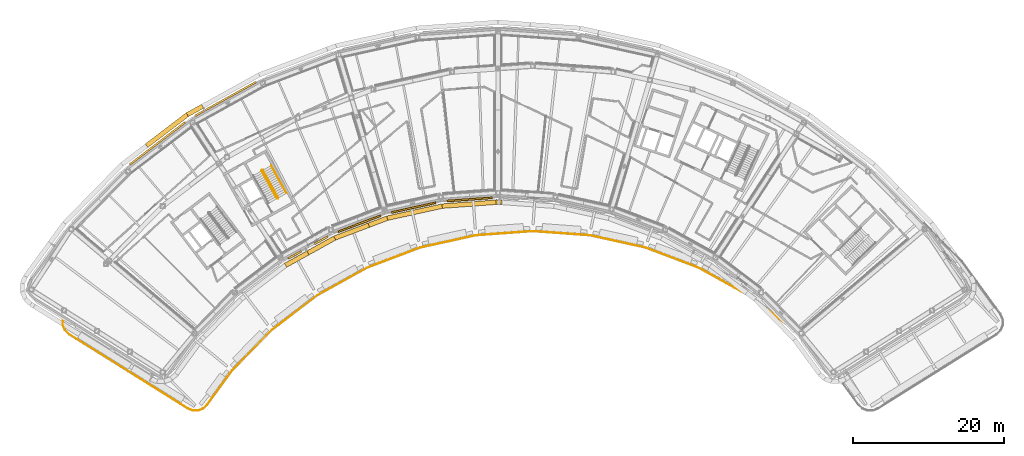
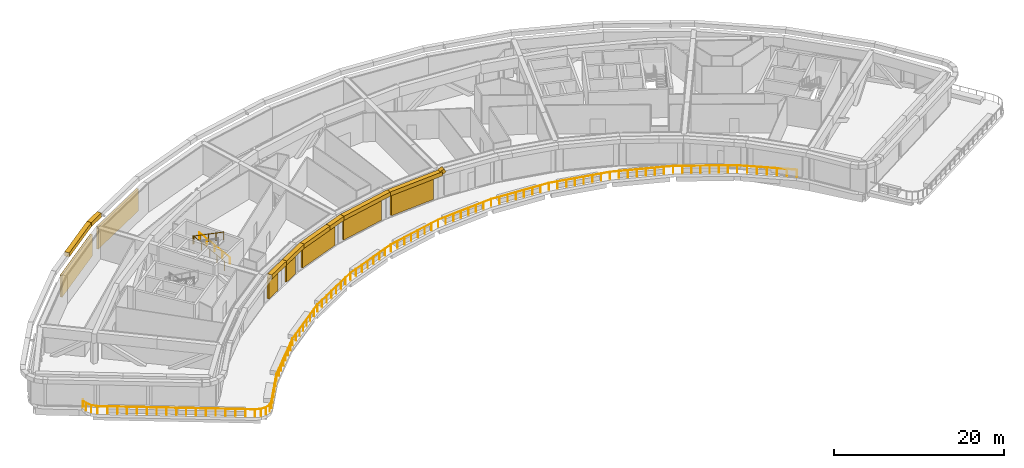
# One storey, part 20 of 24: 9 coverings, 7 shading devices, 3 railings.
"""IFC4 building model written with IfcOpenShell, lengths in metres."""

from ifc_helpers import new_model, si_unit, direction, frame, origin, origin_2d, place, context, subcontext, project, spatial, rectangle, circle, extrude, material, material_profile, profile_set, type_object, element, save


model = new_model("IFC4")

# Units and contexts
model_context = context("Model", 3, precision=1e-05, world=origin(), true_north=direction((0.0, 1.0)))
body_context = subcontext(model_context, "Body", "Model", "MODEL_VIEW")
ifc_project = project(units=[si_unit("LENGTHUNIT", "METRE"), si_unit("AREAUNIT", "SQUARE_METRE"), si_unit("VOLUMEUNIT", "CUBIC_METRE"), si_unit("PLANEANGLEUNIT", "RADIAN"), si_unit("MASSUNIT", "GRAM", prefix="KILO")], contexts=[model_context])

# Site, building, storey
site_placement = place(None, origin())
site = spatial("IfcSite", under=ifc_project, at=site_placement, CompositionType="ELEMENT")
building_placement = place(site_placement, origin())
building = spatial("IfcBuilding", under=site, at=building_placement, Name="Tuul Gate Civic Tower", CompositionType="ELEMENT")
storey_placement = place(building_placement, frame((0.0, 0.0, 315.199951171875)))
storey = spatial("IfcBuildingStorey", under=building, at=storey_placement, Name="Plant and refuge floor 7", CompositionType="ELEMENT", Elevation=315.199951171875)

# Shading devices
ifc_material_1 = material(Name="Aluminium louvre", Category="aluminium")
shading_device_type = type_object("IfcShadingDeviceType", Name="Louvre panel", PredefinedType="USERDEFINED", material=ifc_material_1)
for number, where, z_axis, x_axis, name in (
    (1, (-33.819580078125, 4.896240234375, 0.300048828125), (0.0, 0.0, 1.0), (-0.48478912347, 0.874631068374, 0.0), "Louvre panel"),
    (2, (-42.80615234375, -0.971435546875, 0.300048828125), (0.0, 0.0, 1.0), (-0.605807600786, 0.795611180684, 0.0), "Louvre panel"),
):
    element("IfcShadingDevice", number, at=place(storey_placement, frame(where, z_axis=z_axis, x_axis=x_axis)), inside=storey, type_object=shading_device_type, Name=name, ObjectType="LOUVRE", PredefinedType="USERDEFINED", context=body_context, shape_type="SweptSolid", body=[
        extrude(rectangle(XDim=0.25, YDim=9.199951171875, at=origin_2d()), origin(), (0.0, 0.0, 1.0), 3.14990234375),
    ])
for number, where, z_axis, x_axis, name in (
    (3, (-24.69091796875, -15.711669921875, 0.300048828125), (0.0, 0.0, 1.0), (0.48480794476, -0.874620635875, 0.0), "Louvre panel"),
    (4, (-21.180908203125, -13.765869140625, 0.300048828125), (0.0, 0.0, 1.0), (0.48480794476, -0.874620635875, 0.0), "Louvre panel"),
):
    element("IfcShadingDevice", number, at=place(storey_placement, frame(where, z_axis=z_axis, x_axis=x_axis)), inside=storey, type_object=shading_device_type, Name=name, ObjectType="LOUVRE", PredefinedType="USERDEFINED", context=body_context, shape_type="SweptSolid", body=[
        extrude(rectangle(XDim=0.25, YDim=2.0, at=origin_2d()), origin(), (0.0, 0.0, 1.0), 3.14990234375),
    ])
for number, where, z_axis, x_axis, name in (
    (5, (-16.140869140625, -11.5908203125, 0.300048828125), (0.0, 0.0, 1.0), (0.353684769481, -0.935364679597, 0.0), "Louvre panel"),
    (6, (-8.963134765625, -9.455078125, 0.300048828125), (0.0, 0.0, 1.0), (0.215241961183, -0.976560749849, 0.0), "Louvre panel"),
    (7, (-1.552490234375, -8.375732421875, 0.300048828125), (0.0, 0.0, 1.0), (0.072276176045, -0.997384657179, 0.0), "Louvre panel"),
):
    element("IfcShadingDevice", number, at=place(storey_placement, frame(where, z_axis=z_axis, x_axis=x_axis)), inside=storey, type_object=shading_device_type, Name=name, ObjectType="LOUVRE", PredefinedType="USERDEFINED", context=body_context, shape_type="SweptSolid", body=[
        extrude(rectangle(XDim=0.25, YDim=6.0, at=origin_2d()), origin(), (0.0, 0.0, 1.0), 3.14990234375),
    ])

# Railings
ifc_material_2 = material(Name="Painted steel", Category="steel")
railing_type_1 = type_object("IfcRailingType", Name="Stair guard", PredefinedType="GUARDRAIL", material=ifc_material_2)
railing_1_placement = place(storey_placement, frame((-26.857666015625, -8.247314453125, 0.0)))
element("IfcRailing", 8, at=railing_1_placement, inside=storey, type_object=railing_type_1, Name="Plant and refuge floor 7 ST-2 stair guard 1", PredefinedType="GUARDRAIL", context=body_context, shape_type="SweptSolid", body=[
    extrude(circle(Radius=0.02392578125, at=origin_2d()), frame((0.0, 0.0, 1.076171875), z_axis=(-0.874616555828, -0.48481530532, 0.0), x_axis=(0.48481530532, -0.874616555828, 0.0)), (0.0, 0.0, 1.0), 0.10009765625),
    extrude(circle(Radius=0.02392578125, at=origin_2d()), frame((-0.087646484375, -0.048583984375, 1.076171875), z_axis=(0.490435707169, 0.534104639999, 0.688625479244), x_axis=(-0.736576986774, 0.676353711126, 0.0)), (0.0, 0.0, 1.0), 0.218017578125),
    extrude(circle(Radius=0.02392578125, at=origin_2d()), frame((0.019287109375, 0.06787109375, 1.22607421875), z_axis=(-0.433565959627, 0.782332053545, 0.447188010403), x_axis=(-0.874661316952, -0.484734546558, 0.0)), (0.0, 0.0, 1.0), 4.69580078125),
    extrude(circle(Radius=0.02392578125, at=origin_2d()), frame((-2.0166015625, 3.741455078125, 3.326171875), z_axis=(-0.961000426733, 0.276546885391, 0.0), x_axis=(-0.276546885391, -0.961000426733, 0.0)), (0.0, 0.0, 1.0), 0.070556640625),
    extrude(circle(Radius=0.02392578125, at=origin_2d()), frame((-2.08447265625, 3.760986328125, 3.326171875), z_axis=(-0.874616555828, -0.48481530532, 0.0), x_axis=(0.48481530532, -0.874616555828, 0.0)), (0.0, 0.0, 1.0), 0.10009765625),
    extrude(circle(Radius=0.02392578125, at=origin_2d()), frame((-2.172119140625, 3.71240234375, 3.326171875), z_axis=(-0.117709570447, -0.409040757305, 0.904892322815), x_axis=(0.961000426733, -0.276546885391, 0.0)), (0.0, 0.0, 1.0), 0.166015625),
    extrude(circle(Radius=0.02392578125, at=origin_2d()), frame((-2.191650390625, 3.64453125, 3.47607421875), z_axis=(0.433608177227, -0.782314417595, 0.447177929536), x_axis=(0.874636671229, 0.484779014956, 0.0)), (0.0, 0.0, 1.0), 4.69580078125),
    extrude(circle(Radius=0.02099609375, at=origin_2d()), origin(), (0.0, 0.0, 1.0), 1.052001953125),
    extrude(circle(Radius=0.02099609375, at=origin_2d()), frame((-0.087646484375, -0.048583984375, 0.0)), (0.0, 0.0, 1.0), 1.052001953125),
    extrude(circle(Radius=0.02099609375, at=origin_2d()), frame((0.019287109375, 0.06787109375, 0.150146484375)), (0.0, 0.0, 1.0), 1.052001953125),
    extrude(circle(Radius=0.02099609375, at=origin_2d()), frame((-0.48974609375, 0.986328125, 0.675048828125)), (0.0, 0.0, 1.0), 1.052001953125),
    extrude(circle(Radius=0.02099609375, at=origin_2d()), frame((-0.99853515625, 1.90478515625, 1.2001953125)), (0.0, 0.0, 1.0), 1.052001953125),
    extrude(circle(Radius=0.02099609375, at=origin_2d()), frame((-1.507568359375, 2.822998046875, 1.72509765625)), (0.0, 0.0, 1.0), 1.052001953125),
    extrude(circle(Radius=0.02099609375, at=origin_2d()), frame((-2.0166015625, 3.741455078125, 2.25)), (0.0, 0.0, 1.0), 1.052001953125),
    extrude(circle(Radius=0.02099609375, at=origin_2d()), frame((-2.08447265625, 3.760986328125, 2.25)), (0.0, 0.0, 1.0), 1.052001953125),
    extrude(circle(Radius=0.02099609375, at=origin_2d()), frame((-2.172119140625, 3.71240234375, 2.25)), (0.0, 0.0, 1.0), 1.052001953125),
    extrude(circle(Radius=0.02099609375, at=origin_2d()), frame((-2.191650390625, 3.64453125, 2.400146484375)), (0.0, 0.0, 1.0), 1.052001953125),
    extrude(circle(Radius=0.02099609375, at=origin_2d()), frame((-1.6826171875, 2.72607421875, 2.925048828125)), (0.0, 0.0, 1.0), 1.052001953125),
    extrude(circle(Radius=0.02099609375, at=origin_2d()), frame((-1.173583984375, 1.8076171875, 3.4501953125)), (0.0, 0.0, 1.0), 1.052001953125),
    extrude(circle(Radius=0.02099609375, at=origin_2d()), frame((-0.66455078125, 0.889404296875, 3.97509765625)), (0.0, 0.0, 1.0), 1.052001953125),
    extrude(circle(Radius=0.02099609375, at=origin_2d()), frame((-0.155517578125, -0.029052734375, 4.5)), (0.0, 0.0, 1.0), 1.052001953125),
])
ifc_material_3 = material(Name="Painted steel", Category="steel")
railing_type_2 = type_object("IfcRailingType", Name="Stair handrail", PredefinedType="HANDRAIL", material=ifc_material_3)
railing_2_placement = place(storey_placement, frame((-25.744873046875, -7.573486328125, 0.150146484375)))
element("IfcRailing", 9, at=railing_2_placement, inside=storey, type_object=railing_type_2, Name="Plant and refuge floor 7 ST-2 stair handrail 1", PredefinedType="HANDRAIL", context=body_context, shape_type="SweptSolid", body=[
    extrude(circle(Radius=0.02392578125, at=origin_2d()), frame((0.0, 0.0, 0.8759765625), z_axis=(-0.433608177227, 0.782314417595, 0.447177929536), x_axis=(-0.874636671229, -0.484779014956, 0.0)), (0.0, 0.0, 1.0), 4.69580078125),
    extrude(circle(Radius=0.02099609375, at=origin_2d()), origin(), (0.0, 0.0, 1.0), 0.851806640625),
    extrude(circle(Radius=0.02099609375, at=origin_2d()), frame((-0.509033203125, 0.91845703125, 0.52490234375)), (0.0, 0.0, 1.0), 0.851806640625),
    extrude(circle(Radius=0.02099609375, at=origin_2d()), frame((-1.01806640625, 1.8369140625, 1.0498046875)), (0.0, 0.0, 1.0), 0.851806640625),
    extrude(circle(Radius=0.02099609375, at=origin_2d()), frame((-1.527099609375, 2.755126953125, 1.574951171875)), (0.0, 0.0, 1.0), 0.851806640625),
    extrude(circle(Radius=0.02099609375, at=origin_2d()), frame((-2.0361328125, 3.673583984375, 2.099853515625)), (0.0, 0.0, 1.0), 0.851806640625),
])
ifc_material_4 = material(Name="Stainless steel", Category="steel")
railing_type_3 = type_object("IfcRailingType", Name="Terrace guard", PredefinedType="GUARDRAIL", material=ifc_material_4)
railing_3_placement = place(storey_placement, frame((-55.2705078125, -24.140380859375, 0.0)))
element("IfcRailing", 10, at=railing_3_placement, inside=storey, type_object=railing_type_3, Name="Guard", PredefinedType="GUARDRAIL", context=body_context, shape_type="SweptSolid", body=[
    extrude(circle(Radius=0.02392578125, at=origin_2d()), frame((0.0, 0.0, 1.076171875), z_axis=(-0.413612919329, -0.910452828522, 0.0), x_axis=(0.910452828522, -0.413612919329, 0.0)), (0.0, 0.0, 1.0), 0.096923828125),
    extrude(circle(Radius=0.02392578125, at=origin_2d()), frame((-0.0400390625, -0.088134765625, 1.076171875), z_axis=(-0.014599352391, -0.999893423776, 0.0), x_axis=(0.999893423776, -0.014599352391, 0.0)), (0.0, 0.0, 1.0), 0.75244140625),
    extrude(circle(Radius=0.02392578125, at=origin_2d()), frame((-0.051025390625, -0.840576171875, 1.076171875), z_axis=(0.385811143559, -0.922577780735, 0.0), x_axis=(0.922577780735, 0.385811143559, 0.0)), (0.0, 0.0, 1.0), 0.753662109375),
    extrude(circle(Radius=0.02392578125, at=origin_2d()), frame((0.23974609375, -1.535888671875, 1.076171875), z_axis=(0.722338380807, -0.691539777318, 0.0), x_axis=(0.691539777318, 0.722338380807, 0.0)), (0.0, 0.0, 1.0), 0.768798828125),
    extrude(circle(Radius=0.02392578125, at=origin_2d()), frame((0.795166015625, -2.067626953125, 1.076171875), z_axis=(0.84804792316, -0.529919541085, 0.0), x_axis=(0.529919541085, 0.84804792316, 0.0)), (0.0, 0.0, 1.0), 18.518798828125),
    extrude(circle(Radius=0.02392578125, at=origin_2d()), frame((16.5, -11.881103515625, 1.076171875), z_axis=(0.931606319494, -0.363468933305, 0.0), x_axis=(0.363468933305, 0.931606319494, 0.0)), (0.0, 0.0, 1.0), 0.70263671875),
    extrude(circle(Radius=0.02392578125, at=origin_2d()), frame((17.154541015625, -12.136474609375, 1.076171875), z_axis=(0.999992381518, 0.003903447905, 0.0), x_axis=(-0.003903447905, 0.999992381518, 0.0)), (0.0, 0.0, 1.0), 0.68798828125),
    extrude(circle(Radius=0.02392578125, at=origin_2d()), frame((17.842529296875, -12.1337890625, 1.076171875), z_axis=(0.929233590569, 0.36949280664, 0.0), x_axis=(-0.36949280664, 0.929233590569, 0.0)), (0.0, 0.0, 1.0), 0.687744140625),
    extrude(circle(Radius=0.02392578125, at=origin_2d()), frame((18.481689453125, -11.879638671875, 1.076171875), z_axis=(0.730176325427, 0.68325876049, 0.0), x_axis=(-0.68325876049, 0.730176325427, 0.0)), (0.0, 0.0, 1.0), 0.702392578125),
    extrude(circle(Radius=0.02392578125, at=origin_2d()), frame((18.99462890625, -11.399658203125, 1.076171875), z_axis=(0.589827758022, 0.807529080509, 0.0), x_axis=(-0.807529080509, 0.589827758022, 0.0)), (0.0, 0.0, 1.0), 5.640869140625),
    extrude(circle(Radius=0.02392578125, at=origin_2d()), frame((22.32177734375, -6.844482421875, 1.076171875), z_axis=(0.700001041754, 0.714141821729, 0.0), x_axis=(-0.714141821729, 0.700001041754, 0.0)), (0.0, 0.0, 1.0), 7.527587890625),
    extrude(circle(Radius=0.02392578125, at=origin_2d()), frame((27.591064453125, -1.46875, 1.076171875), z_axis=(0.795650592846, 0.605755837036, 0.0), x_axis=(-0.605755837036, 0.795650592846, 0.0)), (0.0, 0.0, 1.0), 7.5263671875),
    extrude(circle(Radius=0.02392578125, at=origin_2d()), frame((33.579345703125, 3.09033203125, 1.076171875), z_axis=(0.874622073529, 0.484805351143, 0.0), x_axis=(-0.484805351143, 0.874622073529, 0.0)), (0.0, 0.0, 1.0), 7.525634765625),
    extrude(circle(Radius=0.02392578125, at=origin_2d()), frame((40.161376953125, 6.73876953125, 1.076171875), z_axis=(0.935332384104, 0.353770167265, 0.0), x_axis=(-0.353770167265, 0.935332384104, 0.0)), (0.0, 0.0, 1.0), 7.527099609375),
    extrude(circle(Radius=0.02392578125, at=origin_2d()), frame((47.20166015625, 9.401611328125, 1.076171875), z_axis=(0.97657171355, 0.215192212439, 0.0), x_axis=(-0.215192212439, 0.97657171355, 0.0)), (0.0, 0.0, 1.0), 7.5263671875),
    extrude(circle(Radius=0.02392578125, at=origin_2d()), frame((54.5517578125, 11.021240234375, 1.076171875), z_axis=(0.997389741287, 0.072205982962, 0.0), x_axis=(-0.072205982962, 0.997389741287, 0.0)), (0.0, 0.0, 1.0), 7.5263671875),
    extrude(circle(Radius=0.02392578125, at=origin_2d()), frame((62.05859375, 11.564697265625, 1.076171875), z_axis=(0.997389572159, -0.072208319108, 0.0), x_axis=(0.072208319108, 0.997389572159, 0.0)), (0.0, 0.0, 1.0), 7.526123046875),
    extrude(circle(Radius=0.02392578125, at=origin_2d()), frame((69.565185546875, 11.021240234375, 1.076171875), z_axis=(0.97657171355, -0.215192212439, 0.0), x_axis=(0.215192212439, 0.97657171355, 0.0)), (0.0, 0.0, 1.0), 7.5263671875),
    extrude(circle(Radius=0.02392578125, at=origin_2d()), frame((76.915283203125, 9.401611328125, 1.076171875), z_axis=(0.935336443286, -0.353759435014, 0.0), x_axis=(0.353759435014, 0.935336443286, 0.0)), (0.0, 0.0, 1.0), 7.52734375),
    extrude(circle(Radius=0.02392578125, at=origin_2d()), frame((83.955810546875, 6.73876953125, 1.076171875), z_axis=(0.874652568021, -0.484750332907, 0.0), x_axis=(0.484750332907, 0.874652568021, 0.0)), (0.0, 0.0, 1.0), 7.5263671875),
    extrude(circle(Radius=0.02392578125, at=origin_2d()), frame((90.538818359375, 3.09033203125, 1.076171875), z_axis=(0.795647554569, -0.605759827744, 0.0), x_axis=(0.605759827744, 0.795647554569, 0.0)), (0.0, 0.0, 1.0), 7.06103515625),
    extrude(circle(Radius=0.02099609375, at=origin_2d()), origin(), (0.0, 0.0, 1.0), 1.052001953125),
    extrude(circle(Radius=0.02099609375, at=origin_2d()), frame((-0.0400390625, -0.088134765625, 0.0)), (0.0, 0.0, 1.0), 1.052001953125),
    extrude(circle(Radius=0.02099609375, at=origin_2d()), frame((-0.051025390625, -0.840576171875, 0.0)), (0.0, 0.0, 1.0), 1.052001953125),
    extrude(circle(Radius=0.02099609375, at=origin_2d()), frame((0.23974609375, -1.535888671875, 0.0)), (0.0, 0.0, 1.0), 1.052001953125),
    extrude(circle(Radius=0.02099609375, at=origin_2d()), frame((0.795166015625, -2.067626953125, 0.0)), (0.0, 0.0, 1.0), 1.052001953125),
    extrude(circle(Radius=0.02099609375, at=origin_2d()), frame((1.776611328125, -2.680908203125, 0.0)), (0.0, 0.0, 1.0), 1.052001953125),
    extrude(circle(Radius=0.02099609375, at=origin_2d()), frame((2.75830078125, -3.29443359375, 0.0)), (0.0, 0.0, 1.0), 1.052001953125),
    extrude(circle(Radius=0.02099609375, at=origin_2d()), frame((3.73974609375, -3.90771484375, 0.0)), (0.0, 0.0, 1.0), 1.052001953125),
    extrude(circle(Radius=0.02099609375, at=origin_2d()), frame((4.721435546875, -4.52099609375, 0.0)), (0.0, 0.0, 1.0), 1.052001953125),
    extrude(circle(Radius=0.02099609375, at=origin_2d()), frame((5.702880859375, -5.13427734375, 0.0)), (0.0, 0.0, 1.0), 1.052001953125),
    extrude(circle(Radius=0.02099609375, at=origin_2d()), frame((6.6845703125, -5.74755859375, 0.0)), (0.0, 0.0, 1.0), 1.052001953125),
    extrude(circle(Radius=0.02099609375, at=origin_2d()), frame((7.666015625, -6.361083984375, 0.0)), (0.0, 0.0, 1.0), 1.052001953125),
    extrude(circle(Radius=0.02099609375, at=origin_2d()), frame((8.6474609375, -6.974365234375, 0.0)), (0.0, 0.0, 1.0), 1.052001953125),
    extrude(circle(Radius=0.02099609375, at=origin_2d()), frame((9.629150390625, -7.587646484375, 0.0)), (0.0, 0.0, 1.0), 1.052001953125),
    extrude(circle(Radius=0.02099609375, at=origin_2d()), frame((10.610595703125, -8.201171875, 0.0)), (0.0, 0.0, 1.0), 1.052001953125),
    extrude(circle(Radius=0.02099609375, at=origin_2d()), frame((11.59228515625, -8.814453125, 0.0)), (0.0, 0.0, 1.0), 1.052001953125),
    extrude(circle(Radius=0.02099609375, at=origin_2d()), frame((12.57373046875, -9.427734375, 0.0)), (0.0, 0.0, 1.0), 1.052001953125),
    extrude(circle(Radius=0.02099609375, at=origin_2d()), frame((13.555419921875, -10.041015625, 0.0)), (0.0, 0.0, 1.0), 1.052001953125),
    extrude(circle(Radius=0.02099609375, at=origin_2d()), frame((14.536865234375, -10.654296875, 0.0)), (0.0, 0.0, 1.0), 1.052001953125),
    extrude(circle(Radius=0.02099609375, at=origin_2d()), frame((15.5185546875, -11.267822265625, 0.0)), (0.0, 0.0, 1.0), 1.052001953125),
    extrude(circle(Radius=0.02099609375, at=origin_2d()), frame((16.5, -11.881103515625, 0.0)), (0.0, 0.0, 1.0), 1.052001953125),
    extrude(circle(Radius=0.02099609375, at=origin_2d()), frame((17.154541015625, -12.136474609375, 0.0)), (0.0, 0.0, 1.0), 1.052001953125),
    extrude(circle(Radius=0.02099609375, at=origin_2d()), frame((17.842529296875, -12.1337890625, 0.0)), (0.0, 0.0, 1.0), 1.052001953125),
    extrude(circle(Radius=0.02099609375, at=origin_2d()), frame((18.481689453125, -11.879638671875, 0.0)), (0.0, 0.0, 1.0), 1.052001953125),
    extrude(circle(Radius=0.02099609375, at=origin_2d()), frame((18.99462890625, -11.399658203125, 0.0)), (0.0, 0.0, 1.0), 1.052001953125),
    extrude(circle(Radius=0.02099609375, at=origin_2d()), frame((19.66015625, -10.488525390625, 0.0)), (0.0, 0.0, 1.0), 1.052001953125),
    extrude(circle(Radius=0.02099609375, at=origin_2d()), frame((20.325439453125, -9.57763671875, 0.0)), (0.0, 0.0, 1.0), 1.052001953125),
    extrude(circle(Radius=0.02099609375, at=origin_2d()), frame((20.990966796875, -8.66650390625, 0.0)), (0.0, 0.0, 1.0), 1.052001953125),
    extrude(circle(Radius=0.02099609375, at=origin_2d()), frame((21.65625, -7.755615234375, 0.0)), (0.0, 0.0, 1.0), 1.052001953125),
    extrude(circle(Radius=0.02099609375, at=origin_2d()), frame((22.32177734375, -6.844482421875, 0.0)), (0.0, 0.0, 1.0), 1.052001953125),
    extrude(circle(Radius=0.02099609375, at=origin_2d()), frame((23.074462890625, -6.076416015625, 0.0)), (0.0, 0.0, 1.0), 1.052001953125),
    extrude(circle(Radius=0.02099609375, at=origin_2d()), frame((23.827392578125, -5.30859375, 0.0)), (0.0, 0.0, 1.0), 1.052001953125),
    extrude(circle(Radius=0.02099609375, at=origin_2d()), frame((24.580078125, -4.54052734375, 0.0)), (0.0, 0.0, 1.0), 1.052001953125),
    extrude(circle(Radius=0.02099609375, at=origin_2d()), frame((25.332763671875, -3.772705078125, 0.0)), (0.0, 0.0, 1.0), 1.052001953125),
    extrude(circle(Radius=0.02099609375, at=origin_2d()), frame((26.08544921875, -3.004638671875, 0.0)), (0.0, 0.0, 1.0), 1.052001953125),
    extrude(circle(Radius=0.02099609375, at=origin_2d()), frame((26.83837890625, -2.23681640625, 0.0)), (0.0, 0.0, 1.0), 1.052001953125),
    extrude(circle(Radius=0.02099609375, at=origin_2d()), frame((27.591064453125, -1.46875, 0.0)), (0.0, 0.0, 1.0), 1.052001953125),
    extrude(circle(Radius=0.02099609375, at=origin_2d()), frame((28.446533203125, -0.8173828125, 0.0)), (0.0, 0.0, 1.0), 1.052001953125),
    extrude(circle(Radius=0.02099609375, at=origin_2d()), frame((29.302001953125, -0.166259765625, 0.0)), (0.0, 0.0, 1.0), 1.052001953125),
    extrude(circle(Radius=0.02099609375, at=origin_2d()), frame((30.157470703125, 0.485107421875, 0.0)), (0.0, 0.0, 1.0), 1.052001953125),
    extrude(circle(Radius=0.02099609375, at=origin_2d()), frame((31.012939453125, 1.136474609375, 0.0)), (0.0, 0.0, 1.0), 1.052001953125),
    extrude(circle(Radius=0.02099609375, at=origin_2d()), frame((31.868408203125, 1.787841796875, 0.0)), (0.0, 0.0, 1.0), 1.052001953125),
    extrude(circle(Radius=0.02099609375, at=origin_2d()), frame((32.723876953125, 2.43896484375, 0.0)), (0.0, 0.0, 1.0), 1.052001953125),
    extrude(circle(Radius=0.02099609375, at=origin_2d()), frame((33.579345703125, 3.09033203125, 0.0)), (0.0, 0.0, 1.0), 1.052001953125),
    extrude(circle(Radius=0.02099609375, at=origin_2d()), frame((34.51953125, 3.611572265625, 0.0)), (0.0, 0.0, 1.0), 1.052001953125),
    extrude(circle(Radius=0.02099609375, at=origin_2d()), frame((35.4599609375, 4.1328125, 0.0)), (0.0, 0.0, 1.0), 1.052001953125),
    extrude(circle(Radius=0.02099609375, at=origin_2d()), frame((36.400146484375, 4.654052734375, 0.0)), (0.0, 0.0, 1.0), 1.052001953125),
    extrude(circle(Radius=0.02099609375, at=origin_2d()), frame((37.340576171875, 5.175048828125, 0.0)), (0.0, 0.0, 1.0), 1.052001953125),
    extrude(circle(Radius=0.02099609375, at=origin_2d()), frame((38.28076171875, 5.6962890625, 0.0)), (0.0, 0.0, 1.0), 1.052001953125),
    extrude(circle(Radius=0.02099609375, at=origin_2d()), frame((39.22119140625, 6.217529296875, 0.0)), (0.0, 0.0, 1.0), 1.052001953125),
    extrude(circle(Radius=0.02099609375, at=origin_2d()), frame((40.161376953125, 6.73876953125, 0.0)), (0.0, 0.0, 1.0), 1.052001953125),
    extrude(circle(Radius=0.02099609375, at=origin_2d()), frame((41.167236328125, 7.119140625, 0.0)), (0.0, 0.0, 1.0), 1.052001953125),
    extrude(circle(Radius=0.02099609375, at=origin_2d()), frame((42.1728515625, 7.49951171875, 0.0)), (0.0, 0.0, 1.0), 1.052001953125),
    extrude(circle(Radius=0.02099609375, at=origin_2d()), frame((43.1787109375, 7.8798828125, 0.0)), (0.0, 0.0, 1.0), 1.052001953125),
    extrude(circle(Radius=0.02099609375, at=origin_2d()), frame((44.184326171875, 8.260498046875, 0.0)), (0.0, 0.0, 1.0), 1.052001953125),
    extrude(circle(Radius=0.02099609375, at=origin_2d()), frame((45.190185546875, 8.640869140625, 0.0)), (0.0, 0.0, 1.0), 1.052001953125),
    extrude(circle(Radius=0.02099609375, at=origin_2d()), frame((46.19580078125, 9.021240234375, 0.0)), (0.0, 0.0, 1.0), 1.052001953125),
    extrude(circle(Radius=0.02099609375, at=origin_2d()), frame((47.20166015625, 9.401611328125, 0.0)), (0.0, 0.0, 1.0), 1.052001953125),
    extrude(circle(Radius=0.02099609375, at=origin_2d()), frame((48.251708984375, 9.633056640625, 0.0)), (0.0, 0.0, 1.0), 1.052001953125),
    extrude(circle(Radius=0.02099609375, at=origin_2d()), frame((49.3017578125, 9.8642578125, 0.0)), (0.0, 0.0, 1.0), 1.052001953125),
    extrude(circle(Radius=0.02099609375, at=origin_2d()), frame((50.351806640625, 10.095703125, 0.0)), (0.0, 0.0, 1.0), 1.052001953125),
    extrude(circle(Radius=0.02099609375, at=origin_2d()), frame((51.401611328125, 10.3271484375, 0.0)), (0.0, 0.0, 1.0), 1.052001953125),
    extrude(circle(Radius=0.02099609375, at=origin_2d()), frame((52.45166015625, 10.55859375, 0.0)), (0.0, 0.0, 1.0), 1.052001953125),
    extrude(circle(Radius=0.02099609375, at=origin_2d()), frame((53.501708984375, 10.789794921875, 0.0)), (0.0, 0.0, 1.0), 1.052001953125),
    extrude(circle(Radius=0.02099609375, at=origin_2d()), frame((54.5517578125, 11.021240234375, 0.0)), (0.0, 0.0, 1.0), 1.052001953125),
    extrude(circle(Radius=0.02099609375, at=origin_2d()), frame((55.624267578125, 11.098876953125, 0.0)), (0.0, 0.0, 1.0), 1.052001953125),
    extrude(circle(Radius=0.02099609375, at=origin_2d()), frame((56.696533203125, 11.176513671875, 0.0)), (0.0, 0.0, 1.0), 1.052001953125),
    extrude(circle(Radius=0.02099609375, at=origin_2d()), frame((57.76904296875, 11.254150390625, 0.0)), (0.0, 0.0, 1.0), 1.052001953125),
    extrude(circle(Radius=0.02099609375, at=origin_2d()), frame((58.84130859375, 11.331787109375, 0.0)), (0.0, 0.0, 1.0), 1.052001953125),
    extrude(circle(Radius=0.02099609375, at=origin_2d()), frame((59.913818359375, 11.409423828125, 0.0)), (0.0, 0.0, 1.0), 1.052001953125),
    extrude(circle(Radius=0.02099609375, at=origin_2d()), frame((60.986083984375, 11.487060546875, 0.0)), (0.0, 0.0, 1.0), 1.052001953125),
    extrude(circle(Radius=0.02099609375, at=origin_2d()), frame((62.05859375, 11.564697265625, 0.0)), (0.0, 0.0, 1.0), 1.052001953125),
    extrude(circle(Radius=0.02099609375, at=origin_2d()), frame((63.130859375, 11.487060546875, 0.0)), (0.0, 0.0, 1.0), 1.052001953125),
    extrude(circle(Radius=0.02099609375, at=origin_2d()), frame((64.203369140625, 11.409423828125, 0.0)), (0.0, 0.0, 1.0), 1.052001953125),
    extrude(circle(Radius=0.02099609375, at=origin_2d()), frame((65.275634765625, 11.331787109375, 0.0)), (0.0, 0.0, 1.0), 1.052001953125),
    extrude(circle(Radius=0.02099609375, at=origin_2d()), frame((66.34814453125, 11.254150390625, 0.0)), (0.0, 0.0, 1.0), 1.052001953125),
    extrude(circle(Radius=0.02099609375, at=origin_2d()), frame((67.42041015625, 11.176513671875, 0.0)), (0.0, 0.0, 1.0), 1.052001953125),
    extrude(circle(Radius=0.02099609375, at=origin_2d()), frame((68.492919921875, 11.098876953125, 0.0)), (0.0, 0.0, 1.0), 1.052001953125),
    extrude(circle(Radius=0.02099609375, at=origin_2d()), frame((69.565185546875, 11.021240234375, 0.0)), (0.0, 0.0, 1.0), 1.052001953125),
    extrude(circle(Radius=0.02099609375, at=origin_2d()), frame((70.615234375, 10.789794921875, 0.0)), (0.0, 0.0, 1.0), 1.052001953125),
    extrude(circle(Radius=0.02099609375, at=origin_2d()), frame((71.665283203125, 10.55859375, 0.0)), (0.0, 0.0, 1.0), 1.052001953125),
    extrude(circle(Radius=0.02099609375, at=origin_2d()), frame((72.71533203125, 10.3271484375, 0.0)), (0.0, 0.0, 1.0), 1.052001953125),
    extrude(circle(Radius=0.02099609375, at=origin_2d()), frame((73.76513671875, 10.095703125, 0.0)), (0.0, 0.0, 1.0), 1.052001953125),
    extrude(circle(Radius=0.02099609375, at=origin_2d()), frame((74.815185546875, 9.8642578125, 0.0)), (0.0, 0.0, 1.0), 1.052001953125),
    extrude(circle(Radius=0.02099609375, at=origin_2d()), frame((75.865234375, 9.633056640625, 0.0)), (0.0, 0.0, 1.0), 1.052001953125),
    extrude(circle(Radius=0.02099609375, at=origin_2d()), frame((76.915283203125, 9.401611328125, 0.0)), (0.0, 0.0, 1.0), 1.052001953125),
    extrude(circle(Radius=0.02099609375, at=origin_2d()), frame((77.921142578125, 9.021240234375, 0.0)), (0.0, 0.0, 1.0), 1.052001953125),
    extrude(circle(Radius=0.02099609375, at=origin_2d()), frame((78.9267578125, 8.640869140625, 0.0)), (0.0, 0.0, 1.0), 1.052001953125),
    extrude(circle(Radius=0.02099609375, at=origin_2d()), frame((79.9326171875, 8.260498046875, 0.0)), (0.0, 0.0, 1.0), 1.052001953125),
    extrude(circle(Radius=0.02099609375, at=origin_2d()), frame((80.9384765625, 7.8798828125, 0.0)), (0.0, 0.0, 1.0), 1.052001953125),
    extrude(circle(Radius=0.02099609375, at=origin_2d()), frame((81.9443359375, 7.49951171875, 0.0)), (0.0, 0.0, 1.0), 1.052001953125),
    extrude(circle(Radius=0.02099609375, at=origin_2d()), frame((82.949951171875, 7.119140625, 0.0)), (0.0, 0.0, 1.0), 1.052001953125),
    extrude(circle(Radius=0.02099609375, at=origin_2d()), frame((83.955810546875, 6.73876953125, 0.0)), (0.0, 0.0, 1.0), 1.052001953125),
    extrude(circle(Radius=0.02099609375, at=origin_2d()), frame((84.896240234375, 6.217529296875, 0.0)), (0.0, 0.0, 1.0), 1.052001953125),
    extrude(circle(Radius=0.02099609375, at=origin_2d()), frame((85.836669921875, 5.6962890625, 0.0)), (0.0, 0.0, 1.0), 1.052001953125),
    extrude(circle(Radius=0.02099609375, at=origin_2d()), frame((86.777099609375, 5.175048828125, 0.0)), (0.0, 0.0, 1.0), 1.052001953125),
    extrude(circle(Radius=0.02099609375, at=origin_2d()), frame((87.717529296875, 4.654052734375, 0.0)), (0.0, 0.0, 1.0), 1.052001953125),
    extrude(circle(Radius=0.02099609375, at=origin_2d()), frame((88.657958984375, 4.1328125, 0.0)), (0.0, 0.0, 1.0), 1.052001953125),
    extrude(circle(Radius=0.02099609375, at=origin_2d()), frame((89.598388671875, 3.611572265625, 0.0)), (0.0, 0.0, 1.0), 1.052001953125),
    extrude(circle(Radius=0.02099609375, at=origin_2d()), frame((90.538818359375, 3.09033203125, 0.0)), (0.0, 0.0, 1.0), 1.052001953125),
    extrude(circle(Radius=0.02099609375, at=origin_2d()), frame((91.47509765625, 2.37744140625, 0.0)), (0.0, 0.0, 1.0), 1.052001953125),
    extrude(circle(Radius=0.02099609375, at=origin_2d()), frame((92.41162109375, 1.66455078125, 0.0)), (0.0, 0.0, 1.0), 1.052001953125),
    extrude(circle(Radius=0.02099609375, at=origin_2d()), frame((93.347900390625, 0.95166015625, 0.0)), (0.0, 0.0, 1.0), 1.052001953125),
    extrude(circle(Radius=0.02099609375, at=origin_2d()), frame((94.2841796875, 0.23876953125, 0.0)), (0.0, 0.0, 1.0), 1.052001953125),
    extrude(circle(Radius=0.02099609375, at=origin_2d()), frame((95.220703125, -0.47412109375, 0.0)), (0.0, 0.0, 1.0), 1.052001953125),
    extrude(circle(Radius=0.02099609375, at=origin_2d()), frame((96.156982421875, -1.18701171875, 0.0)), (0.0, 0.0, 1.0), 1.052001953125),
])

# Coverings
ifc_material_5 = material(Name="Terracotta baguette", Category="masonry")
ifc_material_profile = material_profile(ifc_material_5, rectangle(XDim=0.60009765625, YDim=0.60009765625, at=origin_2d()), Name="Terracotta baguette screen frame")
ifc_profile_set = profile_set([ifc_material_profile], Name="Terracotta baguette")
covering_type = type_object("IfcCoveringType", Name="Terracotta baguette screen frame", PredefinedType="CLADDING", material=ifc_profile_set)
covering_1_placement = place(storey_placement, frame((-36.84814453125, 3.932373046875, 4.150146484375), z_axis=(-0.874590710613, -0.484861927675, 0.0), x_axis=(0.484861927675, -0.874590710613, 0.0)))
element("IfcCovering", 11, at=covering_1_placement, inside=storey, type_object=covering_type, Name="Baguette 105", PredefinedType="CLADDING", context=body_context, shape_type="SweptSolid", body=[
    extrude(rectangle(XDim=0.60009765625, YDim=0.60009765625, at=origin_2d()), origin(), (0.0, 0.0, 1.0), 2.3095703125),
])
covering_2_placement = place(storey_placement, frame((-38.8681640625, 2.8125, 4.150146484375), z_axis=(-0.795616483898, -0.605800635977, 0.0), x_axis=(0.605800635977, -0.795616483898, 0.0)))
element("IfcCovering", 12, at=covering_2_placement, inside=storey, type_object=covering_type, Name="Baguette 106", PredefinedType="CLADDING", context=body_context, shape_type="SweptSolid", body=[
    extrude(rectangle(XDim=0.60009765625, YDim=0.60009765625, at=origin_2d()), origin(), (0.0, 0.0, 1.0), 6.762939453125),
])
covering_3_placement = place(storey_placement, frame((-22.922119140625, -15.44580078125, 4.150146484375), z_axis=(0.874618697284, 0.484811442069, 0.0), x_axis=(-0.484811442069, 0.874618697284, 0.0)))
element("IfcCovering", 13, at=covering_3_placement, inside=storey, type_object=covering_type, Name="Baguette 194", PredefinedType="CLADDING", context=body_context, shape_type="SweptSolid", body=[
    extrude(rectangle(XDim=0.60009765625, YDim=0.60009765625, at=origin_2d()), origin(), (0.0, 0.0, 1.0), 4.039794921875),
])
covering_4_placement = place(storey_placement, frame((-19.388916015625, -13.4873046875, 4.150146484375), z_axis=(0.935372913928, 0.353662991972, 0.0), x_axis=(-0.353662991972, 0.935372913928, 0.0)))
element("IfcCovering", 14, at=covering_4_placement, inside=storey, type_object=covering_type, Name="Baguette 195", PredefinedType="CLADDING", context=body_context, shape_type="SweptSolid", body=[
    extrude(rectangle(XDim=0.60009765625, YDim=0.60009765625, at=origin_2d()), origin(), (0.0, 0.0, 1.0), 4.812255859375),
])
covering_5_placement = place(storey_placement, frame((2.19189453125, -8.73095703125, 4.6484375), z_axis=(0.465069281055, -0.033807459387, -0.884628520628), x_axis=(0.072502073076, 0.997368261677, 0.0)))
element("IfcCovering", 15, at=covering_5_placement, inside=storey, type_object=covering_type, Name="Baguette 213", PredefinedType="CLADDING", context=body_context, shape_type="SweptSolid", body=[
    extrude(rectangle(XDim=0.60009765625, YDim=0.60009765625, at=origin_2d()), origin(), (0.0, 0.0, 1.0), 0.563232421875),
])
covering_6_placement = place(storey_placement, frame((-25.876953125, -17.08349609375, 4.150146484375), z_axis=(0.874644295348, 0.484765259291, 0.0), x_axis=(-0.484765259291, 0.874644295348, 0.0)))
element("IfcCovering", 16, at=covering_6_placement, inside=storey, type_object=covering_type, Name="Baguette 397", PredefinedType="CLADDING", context=body_context, shape_type="SweptSolid", body=[
    extrude(rectangle(XDim=0.60009765625, YDim=0.60009765625, at=origin_2d()), origin(), (0.0, 0.0, 1.0), 3.37841796875),
])
covering_7_placement = place(storey_placement, frame((-14.8876953125, -11.785400390625, 4.150146484375), z_axis=(0.935359158209, 0.353699371155, 0.0), x_axis=(-0.353699371155, 0.935359158209, 0.0)))
element("IfcCovering", 17, at=covering_7_placement, inside=storey, type_object=covering_type, Name="Baguette 398", PredefinedType="CLADDING", context=body_context, shape_type="SweptSolid", body=[
    extrude(rectangle(XDim=0.60009765625, YDim=0.60009765625, at=origin_2d()), origin(), (0.0, 0.0, 1.0), 2.605712890625),
])
for number, where, z_axis, x_axis, name in (
    (18, (-12.450439453125, -10.86376953125, 4.150146484375), (0.976558886135, 0.215250416748, 0.0), (-0.215250416748, 0.976558886135, 0.0), "Baguette 399"),
    (19, (-5.20654296875, -9.26708984375, 4.150146484375), (0.997384658444, 0.072276158591, 0.0), (-0.072276158591, 0.997384658444, 0.0), "Baguette 400"),
):
    element("IfcCovering", number, at=place(storey_placement, frame(where, z_axis=z_axis, x_axis=x_axis)), inside=storey, type_object=covering_type, Name=name, PredefinedType="CLADDING", context=body_context, shape_type="SweptSolid", body=[
        extrude(rectangle(XDim=0.60009765625, YDim=0.60009765625, at=origin_2d()), origin(), (0.0, 0.0, 1.0), 7.417724609375),
    ])

save(model, "model.ifc")
